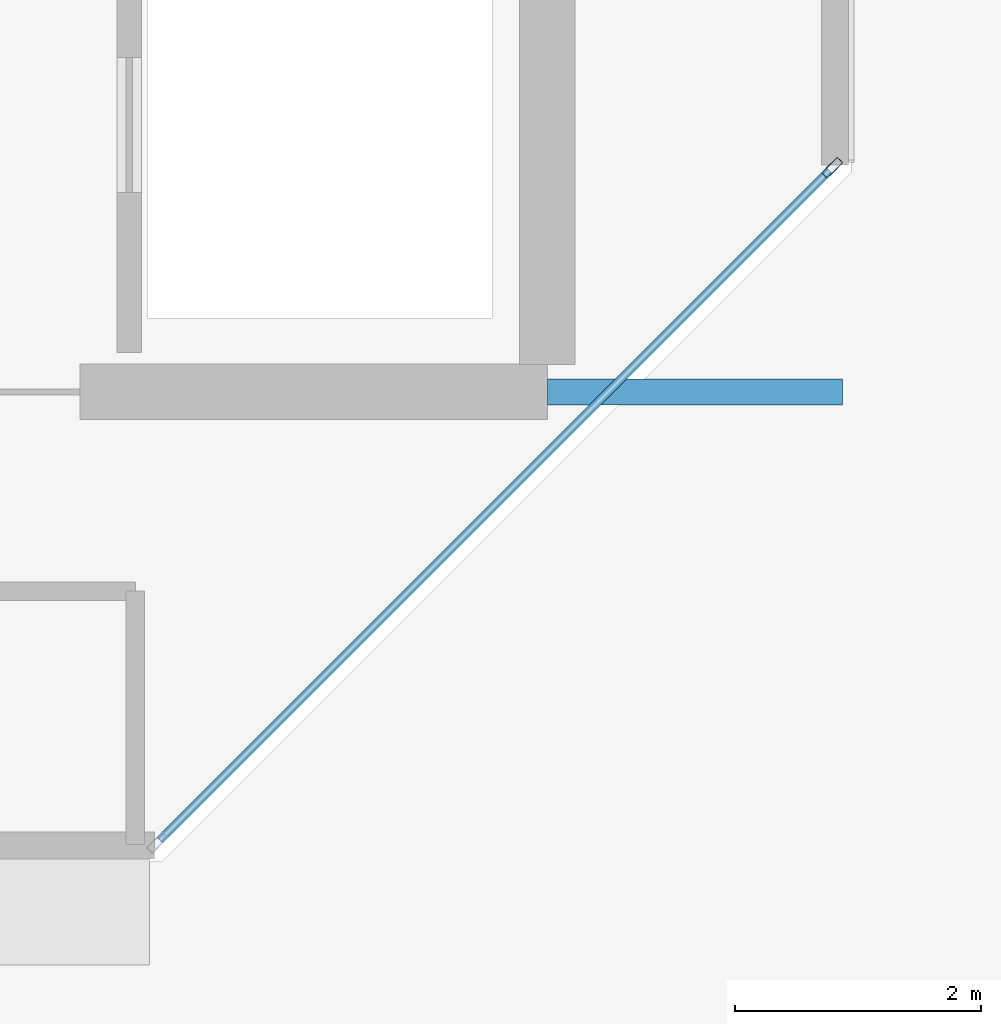
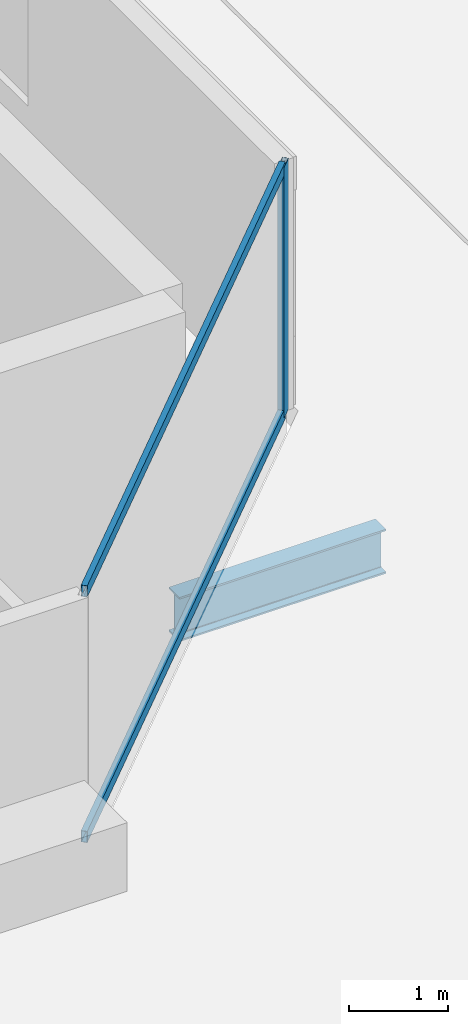
# One storey, part 3 of 30: 3 members, 1 beam, 1 element without a shape of its own.
"""IFC4 building model written with IfcOpenShell, lengths in metres."""

from ifc_helpers import new_model, si_unit, direction, frame, origin, origin_2d, place, context, subcontext, project, spatial, hollow_rectangle, i_section, extrude, material, layer, layer_set, material_profile, profile_set, type_object, element, aggregate, save


model = new_model("IFC4")

# Units and contexts
model_context = context("Model", 3, precision=1e-05, world=origin(), true_north=direction((0.0, 1.0)))
body_context = subcontext(model_context, "Body", "Model", "MODEL_VIEW")
ifc_project = project(units=[si_unit("LENGTHUNIT", "METRE"), si_unit("AREAUNIT", "SQUARE_METRE"), si_unit("VOLUMEUNIT", "CUBIC_METRE"), si_unit("PLANEANGLEUNIT", "RADIAN"), si_unit("MASSUNIT", "GRAM", prefix="KILO")], contexts=[model_context])

# Site, building, storey
site_placement = place(None, origin())
site = spatial("IfcSite", under=ifc_project, at=site_placement, CompositionType="ELEMENT")
building_placement = place(site_placement, origin())
building = spatial("IfcBuilding", under=site, at=building_placement, Name="Tanjung Sevakor Pilgrim Tower", CompositionType="ELEMENT")
storey_placement = place(building_placement, frame((0.0, 0.0, 229.35009765625)))
storey = spatial("IfcBuildingStorey", under=building, at=storey_placement, Name="L64", CompositionType="ELEMENT", Elevation=229.35009765625)

# Beam
ifc_material_1 = material(Name="Steel S355J2", Category="steel")
ifc_material_profile_1 = material_profile(ifc_material_1, i_section(OverallWidth=0.2119140625, OverallDepth=0.54443359375, WebThickness=0.0126953125, FlangeThickness=0.021240234375, FilletRadius=0.0126953125, at=origin_2d()))
ifc_profile_set_1 = profile_set([ifc_material_profile_1], Name="Steel S355J2")
beam_type = type_object("IfcBeamType", Name="BM-B-G5-UB_533x210x122", PredefinedType="BEAM", material=ifc_profile_set_1)
beam_placement = place(storey_placement, frame((36.0, 24.60009765625, -0.552490234375), z_axis=(1.0, 0.0, 0.0), x_axis=(0.0, 1.0, 0.0)))
element("IfcBeam", 1, at=beam_placement, inside=storey, type_object=beam_type, Name="L64 West Peak Cantilever Girder 1", PredefinedType="BEAM", context=body_context, shape_type="SweptSolid", body=[
    extrude(i_section(OverallWidth=0.2119140625, OverallDepth=0.54443359375, WebThickness=0.0126953125, FlangeThickness=0.021240234375, FilletRadius=0.0126953125, at=origin_2d()), origin(), (0.0, 0.0, 1.0), 2.39990234375),
])

# Curtain wall, members
ifc_material_2 = material(Name="Aluminium 6063-T6 and Low-E Glass", Category="aluminium")
ifc_layer = layer(ifc_material_2, 0.179931640625)
ifc_layer_set = layer_set([ifc_layer], Name="CW-SYS-CHAM")
curtain_wall_type = type_object("IfcCurtainWallType", Name="CW-SYS-CHAM", PredefinedType="NOTDEFINED", material=ifc_layer_set)
curtain_wall_placement = place(storey_placement, origin())
curtain_wall = element("IfcCurtainWall", 2, at=curtain_wall_placement, inside=storey, type_object=curtain_wall_type, Name="L64 Curtain Wall CW-CHM-L64-WEST-1", PredefinedType="NOTDEFINED")
ifc_material_3 = material(Name="Aluminium 6063-T6", Category="aluminium")
ifc_material_profile_2 = material_profile(ifc_material_3, hollow_rectangle(XDim=0.06494140625, YDim=0.179931640625, WallThickness=0.00390625, at=origin_2d()))
ifc_profile_set_2 = profile_set([ifc_material_profile_2], Name="Aluminium 6063-T6")
member_type_1 = type_object("IfcMemberType", Name="TYPE-CWM-1", PredefinedType="MULLION", material=ifc_profile_set_2)
member_1_placement = place(storey_placement, frame((38.317138671875, 26.422607421875, 0.0), z_axis=(0.0, 0.0, 1.0), x_axis=(-0.707106781187, 0.707106781187, 0.0)))
member_1 = element("IfcMember", 3, at=member_1_placement, type_object=member_type_1, Name="CW-CHM mullion 2", PredefinedType="MULLION", context=body_context, shape_type="SweptSolid", body=[
    extrude(hollow_rectangle(XDim=0.06494140625, YDim=0.179931640625, WallThickness=0.00390625, at=origin_2d()), origin(), (0.0, 0.0, 1.0), 3.079833984375),
])
ifc_material_4 = material(Name="Aluminium 6063-T6", Category="aluminium")
ifc_material_profile_3 = material_profile(ifc_material_4, hollow_rectangle(XDim=0.06494140625, YDim=0.139892578125, WallThickness=0.00390625, at=origin_2d()))
ifc_profile_set_3 = profile_set([ifc_material_profile_3], Name="Aluminium 6063-T6")
member_type_2 = type_object("IfcMemberType", Name="TYPE-CWT-1", PredefinedType="USERDEFINED", material=ifc_profile_set_3)
member_2_placement = place(storey_placement, frame((32.850341796875, 20.9560546875, 0.032470703125), z_axis=(0.707106781187, 0.707106781187, 0.0), x_axis=(-0.707106781187, 0.707106781187, 0.0)))
member_2 = element("IfcMember", 4, at=member_2_placement, type_object=member_type_2, Name="CW-CHM transom 1.1", ObjectType="TRANSOM", PredefinedType="USERDEFINED", context=body_context, shape_type="SweptSolid", body=[
    extrude(hollow_rectangle(XDim=0.06494140625, YDim=0.139892578125, WallThickness=0.00390625, at=origin_2d()), origin(), (0.0, 0.0, 1.0), 7.698486328125),
])
member_3_placement = place(storey_placement, frame((32.850341796875, 20.9560546875, 3.04736328125), z_axis=(0.707106781187, 0.707106781187, 0.0), x_axis=(-0.707106781187, 0.707106781187, 0.0)))
member_3 = element("IfcMember", 5, at=member_3_placement, type_object=member_type_2, Name="CW-CHM transom 1.2", ObjectType="TRANSOM", PredefinedType="USERDEFINED", context=body_context, shape_type="SweptSolid", body=[
    extrude(hollow_rectangle(XDim=0.06494140625, YDim=0.139892578125, WallThickness=0.00390625, at=origin_2d()), origin(), (0.0, 0.0, 1.0), 7.698486328125),
])
aggregate(curtain_wall, [member_1, member_2, member_3])

save(model, "model.ifc")
